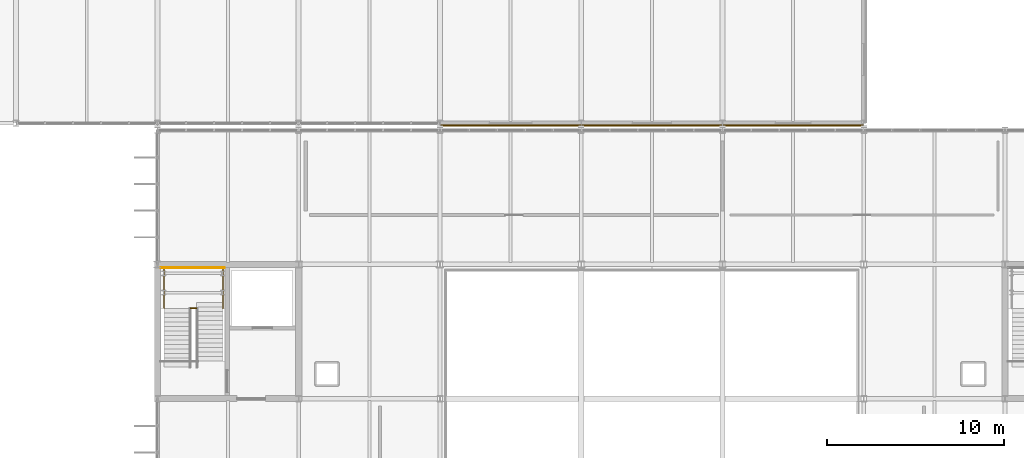
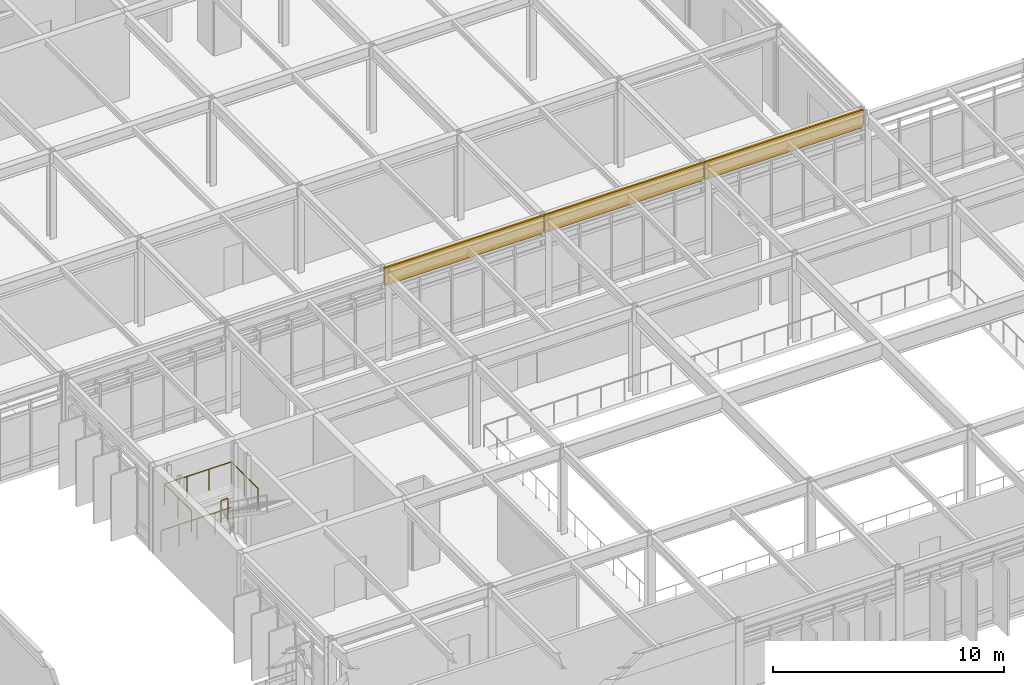
# One storey, part 100 of 104: 3 coverings, 3 railings.
"""IFC4 building model written with IfcOpenShell, lengths in metres."""

from ifc_helpers import new_model, si_unit, direction, frame, origin, origin_2d, place, context, subcontext, project, spatial, rectangle, circle, extrude, material, layer, layer_set, type_object, element, save


model = new_model("IFC4")

# Units and contexts
model_context = context("Model", 3, precision=1e-05, world=origin(), true_north=direction((0.0, 1.0)))
body_context = subcontext(model_context, "Body", "Model", "MODEL_VIEW")
ifc_project = project(units=[si_unit("LENGTHUNIT", "METRE"), si_unit("AREAUNIT", "SQUARE_METRE"), si_unit("VOLUMEUNIT", "CUBIC_METRE"), si_unit("PLANEANGLEUNIT", "RADIAN"), si_unit("MASSUNIT", "GRAM", prefix="KILO")], contexts=[model_context])

# Site, building, storey
site_placement = place(None, origin())
site = spatial("IfcSite", under=ifc_project, at=site_placement, CompositionType="ELEMENT")
building_placement = place(site_placement, origin())
building = spatial("IfcBuilding", under=site, at=building_placement, Name="Zulena Civic Courthouse", CompositionType="ELEMENT")
storey_placement = place(building_placement, frame((0.0, 0.0, 15.60009765625)))
storey = spatial("IfcBuildingStorey", under=building, at=storey_placement, Name="L03", CompositionType="ELEMENT", Elevation=15.60009765625)

# Railings
ifc_material_1 = material(Name="Brushed architectural steel ASTM A36", Category="steel")
railing_type = type_object("IfcRailingType", Name="InteriorGuardrail_1150", PredefinedType="GUARDRAIL", material=ifc_material_1)
railing_1_placement = place(storey_placement, frame((68.199951171875, 37.81005859375, 0.0)))
element("IfcRailing", 1, at=railing_1_placement, inside=storey, type_object=railing_type, Name="gr:wellN:K4A:L02", PredefinedType="GUARDRAIL", context=body_context, shape_type="SweptSolid", body=[
    extrude(circle(Radius=0.02392578125, at=origin_2d()), frame((0.00390625, 0.0, 1.1259765625), z_axis=(1.0, 0.0, 0.0), x_axis=(0.0, 1.0, 0.0)), (0.0, 0.0, 1.0), 3.592041015625),
    extrude(circle(Radius=0.02099609375, at=origin_2d()), origin(), (0.0, 0.0, 1.0), 1.097900390625),
    extrude(circle(Radius=0.02099609375, at=origin_2d()), frame((0.89990234375, 0.0, 0.0)), (0.0, 0.0, 1.0), 1.097900390625),
    extrude(circle(Radius=0.02099609375, at=origin_2d()), frame((1.800048828125, 0.0, 0.0)), (0.0, 0.0, 1.0), 1.097900390625),
    extrude(circle(Radius=0.02099609375, at=origin_2d()), frame((2.7001953125, 0.0, 0.0)), (0.0, 0.0, 1.0), 1.097900390625),
    extrude(circle(Radius=0.02099609375, at=origin_2d()), frame((3.60009765625, 0.0, 0.0)), (0.0, 0.0, 1.0), 1.097900390625),
])
railing_2_placement = place(storey_placement, frame((68.3798828125, 35.49462890625, 2.39990234375)))
element("IfcRailing", 2, at=railing_2_placement, inside=storey, type_object=railing_type, Name="gr:lnd:K4A:L03", PredefinedType="GUARDRAIL", context=body_context, shape_type="SweptSolid", body=[
    extrude(circle(Radius=0.02392578125, at=origin_2d()), frame((0.0, 0.00390625, 1.1259765625), z_axis=(0.0, 1.0, 0.0), x_axis=(-1.0, 0.0, 0.0)), (0.0, 0.0, 1.0), 2.3173828125),
    extrude(circle(Radius=0.02392578125, at=origin_2d()), frame((0.00390625, 2.325439453125, 1.1259765625), z_axis=(1.0, 0.0, 0.0), x_axis=(0.0, 1.0, 0.0)), (0.0, 0.0, 1.0), 3.33203125),
    extrude(circle(Radius=0.02392578125, at=origin_2d()), frame((3.340087890625, 2.321533203125, 1.1259765625), z_axis=(0.0, -1.0, 0.0), x_axis=(1.0, 0.0, 0.0)), (0.0, 0.0, 1.0), 2.3173828125),
    extrude(circle(Radius=0.02099609375, at=origin_2d()), origin(), (0.0, 0.0, 1.0), 1.097900390625),
    extrude(circle(Radius=0.02099609375, at=origin_2d()), frame((0.0, 1.16259765625, 0.0)), (0.0, 0.0, 1.0), 1.097900390625),
    extrude(circle(Radius=0.02099609375, at=origin_2d()), frame((0.0, 2.325439453125, 0.0)), (0.0, 0.0, 1.0), 1.097900390625),
    extrude(circle(Radius=0.02099609375, at=origin_2d()), frame((1.11328125, 2.325439453125, 0.0)), (0.0, 0.0, 1.0), 1.097900390625),
    extrude(circle(Radius=0.02099609375, at=origin_2d()), frame((2.226806640625, 2.325439453125, 0.0)), (0.0, 0.0, 1.0), 1.097900390625),
    extrude(circle(Radius=0.02099609375, at=origin_2d()), frame((3.340087890625, 2.325439453125, 0.0)), (0.0, 0.0, 1.0), 1.097900390625),
    extrude(circle(Radius=0.02099609375, at=origin_2d()), frame((3.340087890625, 1.16259765625, 0.0)), (0.0, 0.0, 1.0), 1.097900390625),
    extrude(circle(Radius=0.02099609375, at=origin_2d()), frame((3.340087890625, 0.0, 0.0)), (0.0, 0.0, 1.0), 1.097900390625),
])
railing_3_placement = place(storey_placement, frame((69.8798828125, 35.514892578125, 2.39990234375)))
element("IfcRailing", 3, at=railing_3_placement, inside=storey, type_object=railing_type, Name="gr:lndslot:K4A:L03", PredefinedType="GUARDRAIL", context=body_context, shape_type="SweptSolid", body=[
    extrude(circle(Radius=0.02392578125, at=origin_2d()), frame((0.00390625, 0.0, 1.1259765625), z_axis=(1.0, 0.0, 0.0), x_axis=(0.0, 1.0, 0.0)), (0.0, 0.0, 1.0), 0.33203125),
    extrude(circle(Radius=0.02099609375, at=origin_2d()), origin(), (0.0, 0.0, 1.0), 1.097900390625),
    extrude(circle(Radius=0.02099609375, at=origin_2d()), frame((0.340087890625, 0.0, 0.0)), (0.0, 0.0, 1.0), 1.097900390625),
])

# Coverings
ifc_material_2 = material(Name="White architectural precast concrete C40/50", Category="concrete")
ifc_layer = layer(ifc_material_2, 0.0849609375)
ifc_layer_set = layer_set([ifc_layer], Name="White architectural precast concrete C40/50")
covering_type = type_object("IfcCoveringType", Name="PrecastSpandrelCladding_85", PredefinedType="CLADDING", material=ifc_layer_set)
for number, where, z_axis, x_axis, name in (
    (4, (104.0, 45.8798828125, 3.659912109375), (0.0, 0.0, 1.0), (-1.0, 0.0, 0.0), "clad:sp:V5:L03:5:0"),
    (5, (96.0, 45.8798828125, 3.659912109375), (0.0, 0.0, 1.0), (-1.0, 0.0, 0.0), "clad:sp:V5:L03:5:1"),
    (6, (88.0, 45.8798828125, 3.659912109375), (0.0, 0.0, 1.0), (-1.0, 0.0, 0.0), "clad:sp:V5:L03:5:2"),
):
    element("IfcCovering", number, at=place(storey_placement, frame(where, z_axis=z_axis, x_axis=x_axis)), inside=storey, type_object=covering_type, Name=name, PredefinedType="CLADDING", context=body_context, shape_type="SweptSolid", body=[
        extrude(rectangle(XDim=7.9599609375, YDim=0.0849609375, at=origin_2d()), origin(), (0.0, 0.0, 1.0), 0.93994140625),
    ])

save(model, "model.ifc")
